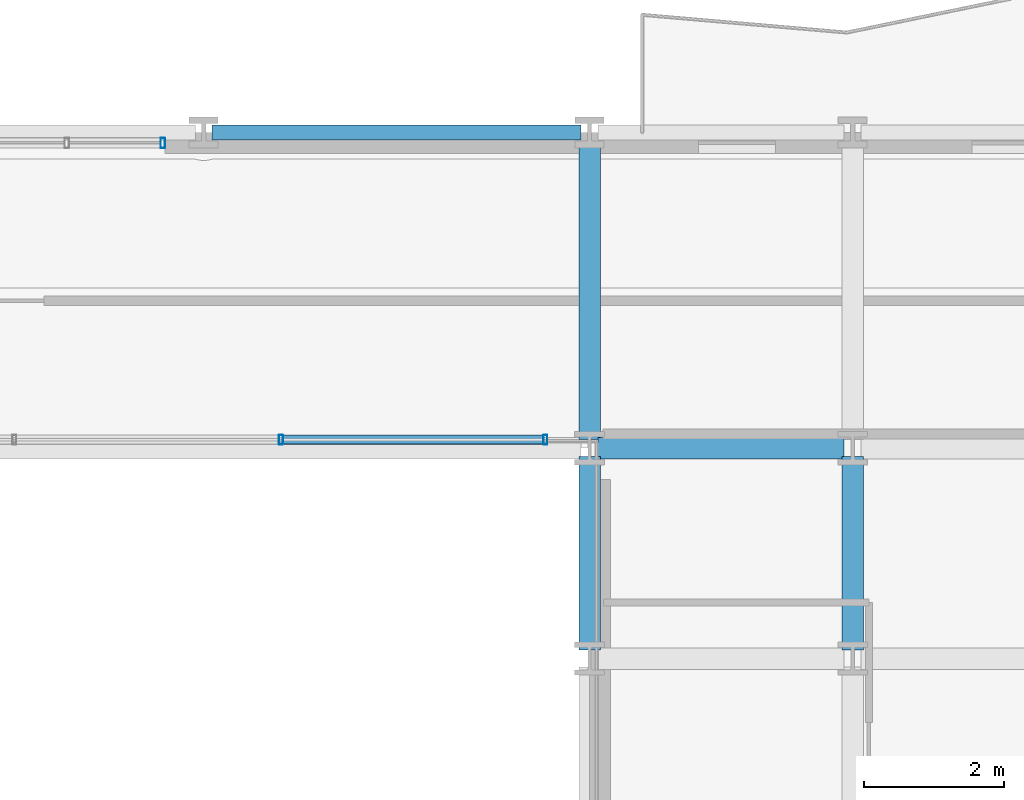
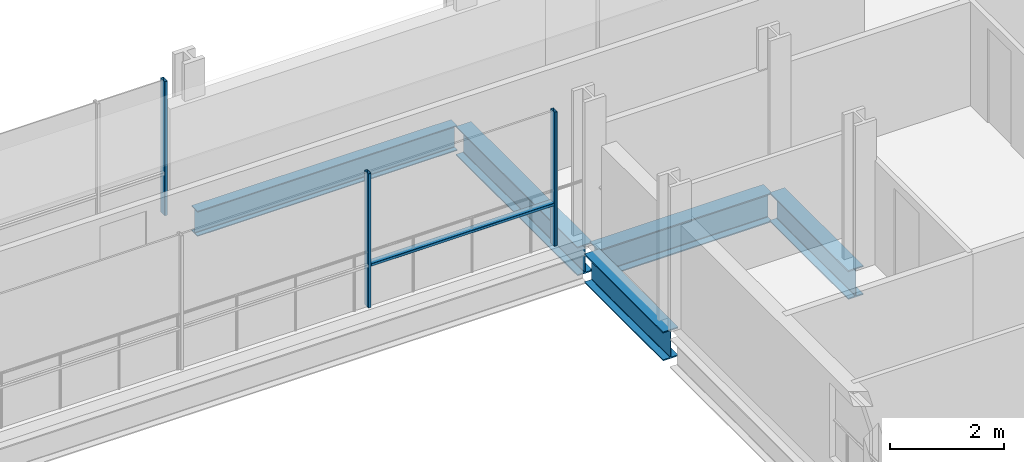
# One storey, part 17 of 38: 5 beams, 4 members, 2 elements without a shape of their own.
"""IFC4 building model written with IfcOpenShell, lengths in metres."""

from ifc_helpers import new_model, si_unit, direction, frame, origin, origin_2d, place, context, subcontext, project, spatial, hollow_rectangle, i_section, extrude, material, layer, layer_set, material_profile, profile_set, type_object, element, aggregate, save


model = new_model("IFC4")

# Units and contexts
model_context = context("Model", 3, precision=1e-05, world=origin(), true_north=direction((0.0, 1.0)))
body_context = subcontext(model_context, "Body", "Model", "MODEL_VIEW")
ifc_project = project(units=[si_unit("LENGTHUNIT", "METRE"), si_unit("AREAUNIT", "SQUARE_METRE"), si_unit("VOLUMEUNIT", "CUBIC_METRE"), si_unit("PLANEANGLEUNIT", "RADIAN"), si_unit("MASSUNIT", "GRAM", prefix="KILO")], contexts=[model_context])

# Site, building, storey
site_placement = place(None, origin())
site = spatial("IfcSite", under=ifc_project, at=site_placement, CompositionType="ELEMENT")
building_placement = place(site_placement, origin())
building = spatial("IfcBuilding", under=site, at=building_placement, Name="Brevholm Reach", CompositionType="ELEMENT")
storey_placement = place(building_placement, frame((0.0, 0.0, 59.0)))
storey = spatial("IfcBuildingStorey", under=building, at=storey_placement, Name="L16", CompositionType="ELEMENT", Elevation=59.0)

# Beams
ifc_material_1 = material(Name="Structural Steel S355J2", Category="steel")
ifc_material_profile_1 = material_profile(ifc_material_1, i_section(OverallWidth=0.210693359375, OverallDepth=0.53955078125, WebThickness=0.01171875, FlangeThickness=0.018798828125, FilletRadius=0.0126953125, at=origin_2d()), Name="UKB 533x210x109")
ifc_profile_set_1 = profile_set([ifc_material_profile_1], Name="Structural Steel S355J2")
beam_type_1 = type_object("IfcBeamType", Name="BM-SP539", PredefinedType="SPANDREL", material=ifc_profile_set_1)
beam_1_placement = place(storey_placement, frame((32.8701171875, 31.0, -0.499755859375), z_axis=(1.0, 0.0, 0.0), x_axis=(0.0, 1.0, 0.0)))
element("IfcBeam", 1, at=beam_1_placement, inside=storey, type_object=beam_type_1, Name="L16 SP-01B Framing Beam", PredefinedType="SPANDREL", context=body_context, shape_type="SweptSolid", body=[
    extrude(i_section(OverallWidth=0.210693359375, OverallDepth=0.53955078125, WebThickness=0.01171875, FlangeThickness=0.018798828125, FilletRadius=0.0126953125, at=origin_2d()), origin(), (0.0, 0.0, 1.0), 5.259765625),
])
ifc_material_2 = material(Name="Structural Steel S355J2", Category="steel")
ifc_material_profile_2 = material_profile(ifc_material_2, i_section(OverallWidth=0.30712890625, OverallDepth=0.6201171875, WebThickness=0.01416015625, FlangeThickness=0.023681640625, FilletRadius=0.0166015625, at=origin_2d()), Name="UKB 610x305x179")
ifc_profile_set_2 = profile_set([ifc_material_profile_2], Name="Structural Steel S355J2")
beam_type_2 = type_object("IfcBeamType", Name="BM-UKB610H", PredefinedType="USERDEFINED", material=ifc_profile_set_2)
beam_2_placement = place(storey_placement, frame((38.3701171875, 26.5, -0.5400390625), z_axis=(1.0, 0.0, 0.0), x_axis=(0.0, 1.0, 0.0)))
element("IfcBeam", 2, at=beam_2_placement, inside=storey, type_object=beam_type_2, Name="L16 G-06 Framing Beam", ObjectType="GIRDER", PredefinedType="USERDEFINED", context=body_context, shape_type="SweptSolid", body=[
    extrude(i_section(OverallWidth=0.30712890625, OverallDepth=0.6201171875, WebThickness=0.01416015625, FlangeThickness=0.023681640625, FilletRadius=0.0166015625, at=origin_2d()), origin(), (0.0, 0.0, 1.0), 3.509765625),
])
beam_3_placement = place(storey_placement, frame((38.25, 23.6201171875, -0.5400390625), z_axis=(0.0, 1.0, 0.0), x_axis=(-1.0, 0.0, 0.0)))
element("IfcBeam", 3, at=beam_3_placement, inside=storey, type_object=beam_type_2, Name="L16 G-06 Framing Beam", ObjectType="GIRDER", PredefinedType="USERDEFINED", context=body_context, shape_type="SweptSolid", body=[
    extrude(i_section(OverallWidth=0.30712890625, OverallDepth=0.6201171875, WebThickness=0.01416015625, FlangeThickness=0.023681640625, FilletRadius=0.0166015625, at=origin_2d()), origin(), (0.0, 0.0, 1.0), 2.759765625),
])
beam_4_placement = place(storey_placement, frame((38.25, 26.6201171875, -0.5400390625), z_axis=(0.0, 1.0, 0.0), x_axis=(-1.0, 0.0, 0.0)))
element("IfcBeam", 4, at=beam_4_placement, inside=storey, type_object=beam_type_2, Name="L16 G-06 Framing Beam", ObjectType="GIRDER", PredefinedType="USERDEFINED", context=body_context, shape_type="SweptSolid", body=[
    extrude(i_section(OverallWidth=0.30712890625, OverallDepth=0.6201171875, WebThickness=0.01416015625, FlangeThickness=0.023681640625, FilletRadius=0.0166015625, at=origin_2d()), origin(), (0.0, 0.0, 1.0), 4.259765625),
])
beam_5_placement = place(storey_placement, frame((42.0, 23.6201171875, -0.5400390625), z_axis=(0.0, 1.0, 0.0), x_axis=(-1.0, 0.0, 0.0)))
element("IfcBeam", 5, at=beam_5_placement, inside=storey, type_object=beam_type_2, Name="L16 G-06 Framing Beam", ObjectType="GIRDER", PredefinedType="USERDEFINED", context=body_context, shape_type="SweptSolid", body=[
    extrude(i_section(OverallWidth=0.30712890625, OverallDepth=0.6201171875, WebThickness=0.01416015625, FlangeThickness=0.023681640625, FilletRadius=0.0166015625, at=origin_2d()), origin(), (0.0, 0.0, 1.0), 2.759765625),
])

# Curtain wall, members
ifc_material_3 = material(Name="Dark Anodised Aluminium 6063-T6 and Solar-Control Glass", Category="aluminium")
ifc_layer_1 = layer(ifc_material_3, 0.139892578125)
ifc_layer_set_1 = layer_set([ifc_layer_1], Name="Dark Anodised Aluminium 6063-T6 and Solar-Control Glass")
curtain_wall_type_1 = type_object("IfcCurtainWallType", Name="CW-02", PredefinedType="NOTDEFINED", material=ifc_layer_set_1)
curtain_wall_1_placement = place(storey_placement, origin())
curtain_wall_1 = element("IfcCurtainWall", 6, at=curtain_wall_1_placement, inside=storey, type_object=curtain_wall_type_1, Name="L16 Curtain Wall CW-02", PredefinedType="NOTDEFINED")
ifc_material_4 = material(Name="Dark Anodised Aluminium 6063-T6", Category="aluminium")
ifc_material_profile_3 = material_profile(ifc_material_4, hollow_rectangle(XDim=0.06005859375, YDim=0.139892578125, WallThickness=0.0048828125, InnerFilletRadius=0.0048828125, OuterFilletRadius=0.010009765625, at=origin_2d()), Name="RHS 140x60x5")
ifc_profile_set_3 = profile_set([ifc_material_profile_3], Name="Dark Anodised Aluminium 6063-T6")
member_type_1 = type_object("IfcMemberType", Name="CWM-140", PredefinedType="MULLION", material=ifc_profile_set_3)
member_1_placement = place(storey_placement, frame((37.6201171875, 26.6201171875, 0.0), z_axis=(0.0, 0.0, 1.0), x_axis=(-1.0, 0.0, 0.0)))
member_1 = element("IfcMember", 7, at=member_1_placement, type_object=member_type_1, Name="CM-140 Mullion 1", PredefinedType="MULLION", context=body_context, shape_type="SweptSolid", body=[
    extrude(hollow_rectangle(XDim=0.06005859375, YDim=0.139892578125, WallThickness=0.0048828125, InnerFilletRadius=0.0048828125, OuterFilletRadius=0.010009765625, at=origin_2d()), origin(), (0.0, 0.0, 1.0), 2.8701171875),
])
member_2_placement = place(storey_placement, frame((33.85009765625, 26.6201171875, 0.0), z_axis=(0.0, 0.0, 1.0), x_axis=(-1.0, 0.0, 0.0)))
member_2 = element("IfcMember", 8, at=member_2_placement, type_object=member_type_1, Name="CM-140 Mullion 2", PredefinedType="MULLION", context=body_context, shape_type="SweptSolid", body=[
    extrude(hollow_rectangle(XDim=0.06005859375, YDim=0.139892578125, WallThickness=0.0048828125, InnerFilletRadius=0.0048828125, OuterFilletRadius=0.010009765625, at=origin_2d()), origin(), (0.0, 0.0, 1.0), 2.8701171875),
])

# Curtain wall, member
ifc_material_5 = material(Name="Dark Anodised Aluminium 6063-T6 and Solar-Control Glass", Category="aluminium")
ifc_layer_2 = layer(ifc_material_5, 0.14990234375)
ifc_layer_set_2 = layer_set([ifc_layer_2], Name="Dark Anodised Aluminium 6063-T6 and Solar-Control Glass")
curtain_wall_type_2 = type_object("IfcCurtainWallType", Name="CW-01", PredefinedType="NOTDEFINED", material=ifc_layer_set_2)
curtain_wall_2_placement = place(storey_placement, origin())
curtain_wall_2 = element("IfcCurtainWall", 9, at=curtain_wall_2_placement, inside=storey, type_object=curtain_wall_type_2, Name="L16 Curtain Wall CW-01", PredefinedType="NOTDEFINED")
ifc_material_6 = material(Name="Dark Anodised Aluminium 6063-T6", Category="aluminium")
ifc_material_profile_4 = material_profile(ifc_material_6, hollow_rectangle(XDim=0.06494140625, YDim=0.14990234375, WallThickness=0.0048828125, InnerFilletRadius=0.0048828125, OuterFilletRadius=0.010009765625, at=origin_2d()), Name="RHS 150x65x5")
ifc_profile_set_4 = profile_set([ifc_material_profile_4], Name="Dark Anodised Aluminium 6063-T6")
member_type_2 = type_object("IfcMemberType", Name="CWM-150", PredefinedType="MULLION", material=ifc_profile_set_4)
member_3_placement = place(storey_placement, frame((32.16748046875, 30.85009765625, 0.0), z_axis=(0.0, 0.0, 1.0), x_axis=(1.0, 0.0, 0.0)))
member_3 = element("IfcMember", 10, at=member_3_placement, type_object=member_type_2, Name="CM-150 Mullion 3", PredefinedType="MULLION", context=body_context, shape_type="SweptSolid", body=[
    extrude(hollow_rectangle(XDim=0.06494140625, YDim=0.14990234375, WallThickness=0.0048828125, InnerFilletRadius=0.0048828125, OuterFilletRadius=0.010009765625, at=origin_2d()), origin(), (0.0, 0.0, 1.0), 2.8701171875),
])
aggregate(curtain_wall_2, [member_3])

# Member
ifc_material_7 = material(Name="Dark Anodised Aluminium 6063-T6", Category="aluminium")
ifc_material_profile_5 = material_profile(ifc_material_7, hollow_rectangle(XDim=0.06005859375, YDim=0.139892578125, WallThickness=0.0048828125, InnerFilletRadius=0.0048828125, OuterFilletRadius=0.010009765625, at=origin_2d()), Name="RHS 140x60x5")
ifc_profile_set_5 = profile_set([ifc_material_profile_5], Name="Dark Anodised Aluminium 6063-T6")
member_type_3 = type_object("IfcMemberType", Name="CWT-140", PredefinedType="NOTDEFINED", material=ifc_profile_set_5)
member_4_placement = place(storey_placement, frame((37.590087890625, 26.6201171875, 0.89990234375), z_axis=(-1.0, 0.0, 0.0), x_axis=(0.0, 0.0, 1.0)))
member_4 = element("IfcMember", 11, at=member_4_placement, type_object=member_type_3, Name="CT-140 Transom 1.1", ObjectType="TRANSOM", PredefinedType="USERDEFINED", context=body_context, shape_type="SweptSolid", body=[
    extrude(hollow_rectangle(XDim=0.06005859375, YDim=0.139892578125, WallThickness=0.0048828125, InnerFilletRadius=0.0048828125, OuterFilletRadius=0.010009765625, at=origin_2d()), origin(), (0.0, 0.0, 1.0), 3.710205078125),
])

aggregate(curtain_wall_1, [member_1, member_2, member_4])

save(model, "model.ifc")
